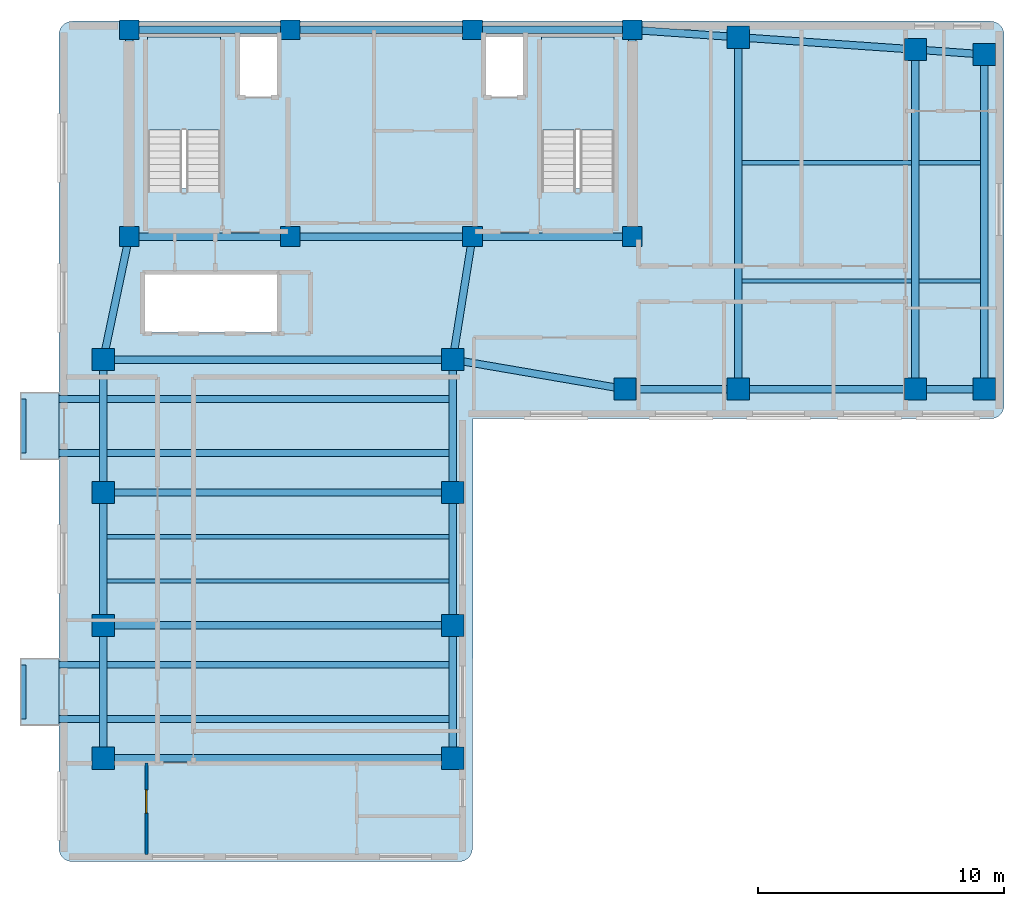
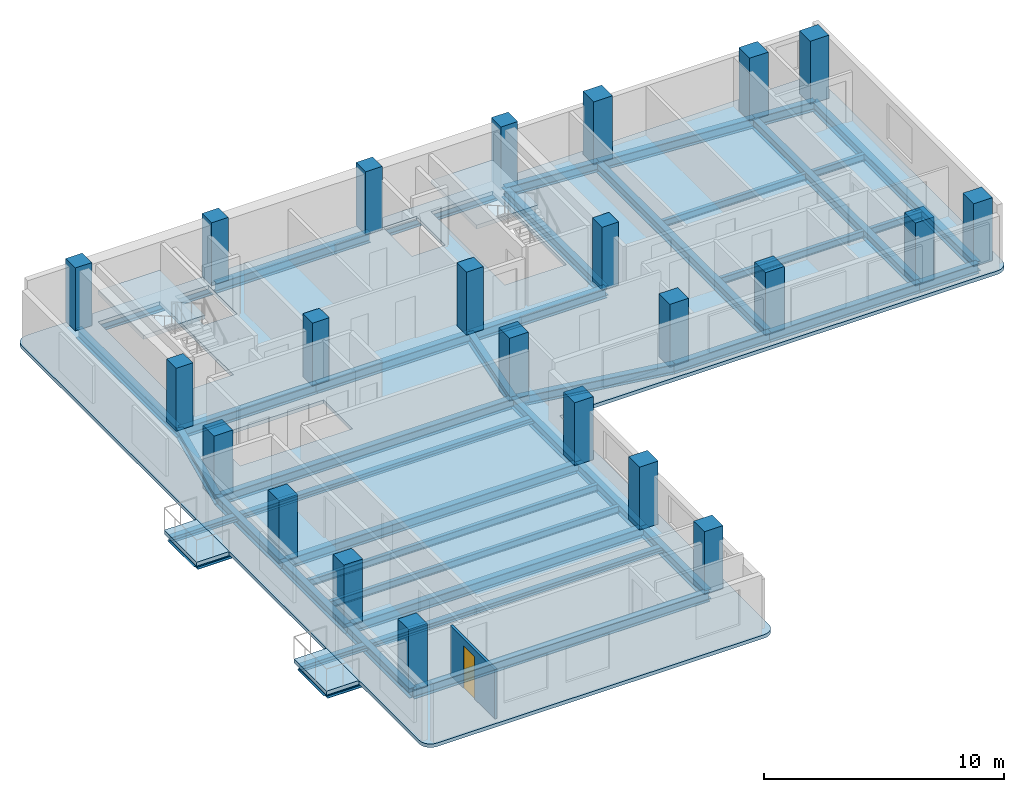
# One storey, part 1 of 7: 42 beams, 23 columns, 5 slabs, 1 door, 1 wall, 1 opening, 2 elements without a shape of their own.
"""IFC4 building model written with IfcOpenShell, lengths in metres."""

from ifc_helpers import new_model, si_unit, direction, frame, frame_2d, origin, origin_2d, place, context, subcontext, project, spatial, polyline, rectangle, i_section, outline, extrude, material, layer, layer_set, material_profile, profile_set, type_object, element, fill, aggregate, save


model = new_model("IFC4")

# Units and contexts
model_context = context("Model", 3, precision=1e-05, world=origin(), true_north=direction((0.0, 1.0)))
body_context = subcontext(model_context, "Body", "Model", "MODEL_VIEW")
ifc_project = project(units=[si_unit("LENGTHUNIT", "METRE"), si_unit("AREAUNIT", "SQUARE_METRE"), si_unit("VOLUMEUNIT", "CUBIC_METRE"), si_unit("PLANEANGLEUNIT", "RADIAN"), si_unit("MASSUNIT", "GRAM", prefix="KILO")], contexts=[model_context])

# Site, building, storey
site_placement = place(None, origin())
site = spatial("IfcSite", under=ifc_project, at=site_placement, CompositionType="ELEMENT")
building_placement = place(site_placement, origin())
building = spatial("IfcBuilding", under=site, at=building_placement, Name="Kuzgunbayir Cultural Tower", CompositionType="ELEMENT")
storey_placement = place(building_placement, frame((0.0, 0.0, 192.0)))
storey = spatial("IfcBuildingStorey", under=building, at=storey_placement, Name="L56", CompositionType="ELEMENT", Elevation=192.0)

# Columns
ifc_material_1 = material(Name="Concrete C50/60", Category="concrete")
ifc_material_profile_1 = material_profile(ifc_material_1, rectangle(XDim=0.800048828125, YDim=0.800048828125, at=origin_2d()), Name="RC 800x800")
ifc_profile_set_1 = profile_set([ifc_material_profile_1], Name="Concrete C50/60")
column_type_1 = type_object("IfcColumnType", Name="COL-CORE-800", PredefinedType="COLUMN", material=ifc_profile_set_1)
for number, where, z_axis, x_axis, name in (
    (1, (6.449951171875, 33.800048828125, 0.0), (0.0, 0.0, 1.0), (1.0, 0.0, 0.0), "L56 T1 Core Boundary Column CC1-1"),
    (2, (13.0, 33.800048828125, 0.0), (0.0, 0.0, 1.0), (1.0, 0.0, 0.0), "L56 T1 Core Boundary Column CC1-2"),
    (3, (20.39990234375, 33.800048828125, 0.0), (0.0, 0.0, 1.0), (1.0, 0.0, 0.0), "L56 T1 Core Boundary Column CC1-3"),
    (4, (26.89990234375, 33.800048828125, 0.0), (0.0, 0.0, 1.0), (1.0, 0.0, 0.0), "L56 T1 Core Boundary Column CC1-4"),
    (5, (6.449951171875, 42.199951171875, 0.0), (0.0, 0.0, 1.0), (1.0, 0.0, 0.0), "L56 T1 Core Boundary Column CC1-5"),
    (6, (13.0, 42.199951171875, 0.0), (0.0, 0.0, 1.0), (1.0, 0.0, 0.0), "L56 T1 Core Boundary Column CC1-6"),
    (7, (20.39990234375, 42.199951171875, 0.0), (0.0, 0.0, 1.0), (1.0, 0.0, 0.0), "L56 T1 Core Boundary Column CC1-7"),
    (8, (26.89990234375, 42.199951171875, 0.0), (0.0, 0.0, 1.0), (1.0, 0.0, 0.0), "L56 T1 Core Boundary Column CC1-8"),
):
    element("IfcColumn", number, at=place(storey_placement, frame(where, z_axis=z_axis, x_axis=x_axis)), inside=storey, type_object=column_type_1, Name=name, PredefinedType="COLUMN", context=body_context, shape_type="SweptSolid", body=[
        extrude(rectangle(XDim=0.800048828125, YDim=0.800048828125, at=origin_2d()), origin(), (0.0, 0.0, 1.0), 3.199951171875),
    ])
ifc_material_profile_2 = material_profile(ifc_material_1, rectangle(XDim=0.89990234375, YDim=0.89990234375, at=origin_2d()), Name="RC 900x900")
ifc_profile_set_2 = profile_set([ifc_material_profile_2], Name="Concrete C50/60")
column_type_2 = type_object("IfcColumnType", Name="COL-T1-900", PredefinedType="COLUMN", material=ifc_profile_set_2)
for number, where, z_axis, x_axis, name in (
    (9, (5.39990234375, 12.60009765625, 0.0), (0.0, 0.0, 1.0), (1.0, 0.0, 0.0), "L56 Tower 1 Wing A Column T1A-W-1"),
    (10, (19.60009765625, 12.60009765625, 0.0), (0.0, 0.0, 1.0), (1.0, 0.0, 0.0), "L56 Tower 1 Wing A Column T1A-E-1"),
    (11, (5.39990234375, 18.0, 0.0), (0.0, 0.0, 1.0), (1.0, 0.0, 0.0), "L56 Tower 1 Wing A Column T1A-W-2"),
    (12, (19.60009765625, 18.0, 0.0), (0.0, 0.0, 1.0), (1.0, 0.0, 0.0), "L56 Tower 1 Wing A Column T1A-E-2"),
    (13, (5.39990234375, 23.39990234375, 0.0), (0.0, 0.0, 1.0), (1.0, 0.0, 0.0), "L56 Tower 1 Wing A Column T1A-W-3"),
    (14, (19.60009765625, 23.39990234375, 0.0), (0.0, 0.0, 1.0), (1.0, 0.0, 0.0), "L56 Tower 1 Wing A Column T1A-E-3"),
    (15, (5.39990234375, 28.800048828125, 0.0), (0.0, 0.0, 1.0), (1.0, 0.0, 0.0), "L56 Tower 1 Wing A Column T1A-W-4"),
    (16, (19.60009765625, 28.800048828125, 0.0), (0.0, 0.0, 1.0), (1.0, 0.0, 0.0), "L56 Tower 1 Wing A Column T1A-E-4"),
    (17, (26.60009765625, 27.60009765625, 0.0), (0.0, 0.0, 1.0), (1.0, 0.0, 0.0), "L56 Tower 1 Wing B Column T1B-1-1"),
    (18, (31.199951171875, 27.60009765625, 0.0), (0.0, 0.0, 1.0), (1.0, 0.0, 0.0), "L56 Tower 1 Wing B Column T1B-2-1"),
    (19, (31.199951171875, 41.89990234375, 0.0), (0.0, 0.0, 1.0), (1.0, 0.0, 0.0), "L56 Tower 1 Wing B Column T1B-2-2"),
    (20, (38.39990234375, 27.60009765625, 0.0), (0.0, 0.0, 1.0), (1.0, 0.0, 0.0), "L56 Tower 1 Wing B Column T1B-3-1"),
    (21, (38.39990234375, 41.39990234375, 0.0), (0.0, 0.0, 1.0), (1.0, 0.0, 0.0), "L56 Tower 1 Wing B Column T1B-3-2"),
    (22, (41.199951171875, 27.60009765625, 0.0), (0.0, 0.0, 1.0), (1.0, 0.0, 0.0), "L56 Tower 1 Wing B Column T1B-4-1"),
    (23, (41.199951171875, 41.199951171875, 0.0), (0.0, 0.0, 1.0), (1.0, 0.0, 0.0), "L56 Tower 1 Wing B Column T1B-4-2"),
):
    element("IfcColumn", number, at=place(storey_placement, frame(where, z_axis=z_axis, x_axis=x_axis)), inside=storey, type_object=column_type_2, Name=name, PredefinedType="COLUMN", context=body_context, shape_type="SweptSolid", body=[
        extrude(rectangle(XDim=0.89990234375, YDim=0.89990234375, at=origin_2d()), origin(), (0.0, 0.0, 1.0), 3.199951171875),
    ])

# Beams
ifc_material_2 = material(Name="Steel S355J2", Category="steel")
ifc_material_profile_3 = material_profile(ifc_material_2, i_section(OverallWidth=0.280029296875, OverallDepth=0.280029296875, WebThickness=0.010498046875, FlangeThickness=0.01806640625, FilletRadius=0.02392578125, at=origin_2d()), Name="HEB 280")
ifc_profile_set_3 = profile_set([ifc_material_profile_3], Name="Steel S355J2")
beam_type_1 = type_object("IfcBeamType", Name="BM-BAL-HEB280", PredefinedType="BEAM", material=ifc_profile_set_3)
for number, where, z_axis, x_axis, name in (
    (24, (2.159912109375, 14.199951171875, -0.340087890625), (1.0, 0.0, 0.0), (0.0, 1.0, 0.0), "L56 Balcony Outrigger Beam BAL-L56-WA1.1"),
    (25, (2.159912109375, 16.39990234375, -0.340087890625), (1.0, 0.0, 0.0), (0.0, 1.0, 0.0), "L56 Balcony Outrigger Beam BAL-L56-WA1.2"),
    (26, (2.159912109375, 25.0, -0.340087890625), (1.0, 0.0, 0.0), (0.0, 1.0, 0.0), "L56 Balcony Outrigger Beam BAL-L56-WA3.1"),
    (27, (2.159912109375, 27.199951171875, -0.340087890625), (1.0, 0.0, 0.0), (0.0, 1.0, 0.0), "L56 Balcony Outrigger Beam BAL-L56-WA3.2"),
):
    element("IfcBeam", number, at=place(storey_placement, frame(where, z_axis=z_axis, x_axis=x_axis)), inside=storey, type_object=beam_type_1, Name=name, PredefinedType="BEAM", context=body_context, shape_type="SweptSolid", body=[
        extrude(i_section(OverallWidth=0.280029296875, OverallDepth=0.280029296875, WebThickness=0.010498046875, FlangeThickness=0.01806640625, FilletRadius=0.02392578125, at=origin_2d()), origin(), (0.0, 0.0, 1.0), 17.440185546875),
    ])
ifc_material_profile_4 = material_profile(ifc_material_2, i_section(OverallWidth=0.199951171875, OverallDepth=0.199951171875, WebThickness=0.009033203125, FlangeThickness=0.014892578125, FilletRadius=0.01806640625, at=origin_2d()), Name="HEB 200")
ifc_profile_set_4 = profile_set([ifc_material_profile_4], Name="Steel S355J2")
beam_type_2 = type_object("IfcBeamType", Name="BM-CAN-HEB200", PredefinedType="BEAM", material=ifc_profile_set_4)
for number, where, z_axis, x_axis, name in (
    (28, (2.159912109375, 14.199951171875, -0.300048828125), (0.0, 1.0, 0.0), (-1.0, 0.0, 0.0), "L56 Balcony Edge Header BAL-L56-WA1"),
    (29, (2.159912109375, 25.0, -0.300048828125), (0.0, 1.0, 0.0), (-1.0, 0.0, 0.0), "L56 Balcony Edge Header BAL-L56-WA3"),
):
    element("IfcBeam", number, at=place(storey_placement, frame(where, z_axis=z_axis, x_axis=x_axis)), inside=storey, type_object=beam_type_2, Name=name, PredefinedType="BEAM", context=body_context, shape_type="SweptSolid", body=[
        extrude(i_section(OverallWidth=0.199951171875, OverallDepth=0.199951171875, WebThickness=0.009033203125, FlangeThickness=0.014892578125, FilletRadius=0.01806640625, at=origin_2d()), origin(), (0.0, 0.0, 1.0), 2.199951171875),
    ])
ifc_material_profile_5 = material_profile(ifc_material_2, i_section(OverallWidth=0.300048828125, OverallDepth=0.5, WebThickness=0.014404296875, FlangeThickness=0.028076171875, FilletRadius=0.027099609375, at=origin_2d()), Name="HEB 500")
ifc_profile_set_5 = profile_set([ifc_material_profile_5], Name="Steel S355J2")
beam_type_3 = type_object("IfcBeamType", Name="BM-EXT-HEB500", PredefinedType="BEAM", material=ifc_profile_set_5)
for number, where, z_axis, x_axis, name in (
    (30, (5.39990234375, 12.60009765625, -0.429931640625), (0.0, 1.0, 0.0), (-1.0, 0.0, 0.0), "L56 Wing A West Girder 1"),
    (31, (19.60009765625, 12.60009765625, -0.429931640625), (0.0, 1.0, 0.0), (-1.0, 0.0, 0.0), "L56 Wing A East Girder 1"),
    (32, (5.39990234375, 18.0, -0.429931640625), (0.0, 1.0, 0.0), (-1.0, 0.0, 0.0), "L56 Wing A West Girder 2"),
    (33, (19.60009765625, 18.0, -0.429931640625), (0.0, 1.0, 0.0), (-1.0, 0.0, 0.0), "L56 Wing A East Girder 2"),
):
    element("IfcBeam", number, at=place(storey_placement, frame(where, z_axis=z_axis, x_axis=x_axis)), inside=storey, type_object=beam_type_3, Name=name, PredefinedType="BEAM", context=body_context, shape_type="SweptSolid", body=[
        extrude(i_section(OverallWidth=0.300048828125, OverallDepth=0.5, WebThickness=0.014404296875, FlangeThickness=0.028076171875, FilletRadius=0.027099609375, at=origin_2d()), origin(), (0.0, 0.0, 1.0), 5.39990234375),
    ])
for number, where, z_axis, x_axis, name in (
    (34, (5.39990234375, 23.39990234375, -0.429931640625), (0.0, 1.0, 0.0), (-1.0, 0.0, 0.0), "L56 Wing A West Girder 3"),
    (35, (19.60009765625, 23.39990234375, -0.429931640625), (0.0, 1.0, 0.0), (-1.0, 0.0, 0.0), "L56 Wing A East Girder 3"),
):
    element("IfcBeam", number, at=place(storey_placement, frame(where, z_axis=z_axis, x_axis=x_axis)), inside=storey, type_object=beam_type_3, Name=name, PredefinedType="BEAM", context=body_context, shape_type="SweptSolid", body=[
        extrude(i_section(OverallWidth=0.300048828125, OverallDepth=0.5, WebThickness=0.014404296875, FlangeThickness=0.028076171875, FilletRadius=0.027099609375, at=origin_2d()), origin(), (0.0, 0.0, 1.0), 5.400146484375),
    ])
beam_1_placement = place(storey_placement, frame((26.60009765625, 27.60009765625, -0.429931640625), z_axis=(1.0, 0.0, 0.0), x_axis=(0.0, 1.0, 0.0)))
element("IfcBeam", 36, at=beam_1_placement, inside=storey, type_object=beam_type_3, Name="L56 Wing B South Girder 1", PredefinedType="BEAM", context=body_context, shape_type="SweptSolid", body=[
    extrude(i_section(OverallWidth=0.300048828125, OverallDepth=0.5, WebThickness=0.014404296875, FlangeThickness=0.028076171875, FilletRadius=0.027099609375, at=origin_2d()), origin(), (0.0, 0.0, 1.0), 4.599853515625),
])
beam_2_placement = place(storey_placement, frame((26.89990234375, 42.199951171875, -0.429931640625), z_axis=(0.997574369175, -0.069608749203, 0.0), x_axis=(0.069608749203, 0.997574369175, 0.0)))
element("IfcBeam", 37, at=beam_2_placement, inside=storey, type_object=beam_type_3, Name="L56 Wing B North Girder 1", PredefinedType="BEAM", context=body_context, shape_type="SweptSolid", body=[
    extrude(i_section(OverallWidth=0.300048828125, OverallDepth=0.5, WebThickness=0.014404296875, FlangeThickness=0.028076171875, FilletRadius=0.027099609375, at=origin_2d()), origin(), (0.0, 0.0, 1.0), 4.310546875),
])
beam_3_placement = place(storey_placement, frame((31.199951171875, 27.60009765625, -0.429931640625), z_axis=(1.0, 0.0, 0.0), x_axis=(0.0, 1.0, 0.0)))
element("IfcBeam", 38, at=beam_3_placement, inside=storey, type_object=beam_type_3, Name="L56 Wing B South Girder 2", PredefinedType="BEAM", context=body_context, shape_type="SweptSolid", body=[
    extrude(i_section(OverallWidth=0.300048828125, OverallDepth=0.5, WebThickness=0.014404296875, FlangeThickness=0.028076171875, FilletRadius=0.027099609375, at=origin_2d()), origin(), (0.0, 0.0, 1.0), 7.199951171875),
])
beam_4_placement = place(storey_placement, frame((31.199951171875, 41.89990234375, -0.429931640625), z_axis=(0.997597388498, -0.069278066245, 0.0), x_axis=(0.069278066245, 0.997597388498, 0.0)))
element("IfcBeam", 39, at=beam_4_placement, inside=storey, type_object=beam_type_3, Name="L56 Wing B North Girder 2", PredefinedType="BEAM", context=body_context, shape_type="SweptSolid", body=[
    extrude(i_section(OverallWidth=0.300048828125, OverallDepth=0.5, WebThickness=0.014404296875, FlangeThickness=0.028076171875, FilletRadius=0.027099609375, at=origin_2d()), origin(), (0.0, 0.0, 1.0), 7.21728515625),
])
beam_5_placement = place(storey_placement, frame((38.39990234375, 27.60009765625, -0.429931640625), z_axis=(1.0, 0.0, 0.0), x_axis=(0.0, 1.0, 0.0)))
element("IfcBeam", 40, at=beam_5_placement, inside=storey, type_object=beam_type_3, Name="L56 Wing B South Girder 3", PredefinedType="BEAM", context=body_context, shape_type="SweptSolid", body=[
    extrude(i_section(OverallWidth=0.300048828125, OverallDepth=0.5, WebThickness=0.014404296875, FlangeThickness=0.028076171875, FilletRadius=0.027099609375, at=origin_2d()), origin(), (0.0, 0.0, 1.0), 2.800048828125),
])
beam_6_placement = place(storey_placement, frame((38.39990234375, 41.39990234375, -0.429931640625), z_axis=(0.997460024076, -0.071228508128, 0.0), x_axis=(0.071228508128, 0.997460024076, 0.0)))
element("IfcBeam", 41, at=beam_6_placement, inside=storey, type_object=beam_type_3, Name="L56 Wing B North Girder 3", PredefinedType="BEAM", context=body_context, shape_type="SweptSolid", body=[
    extrude(i_section(OverallWidth=0.300048828125, OverallDepth=0.5, WebThickness=0.014404296875, FlangeThickness=0.028076171875, FilletRadius=0.027099609375, at=origin_2d()), origin(), (0.0, 0.0, 1.0), 2.80712890625),
])
ifc_material_profile_6 = material_profile(ifc_material_2, i_section(OverallWidth=0.300048828125, OverallDepth=0.5, WebThickness=0.014404296875, FlangeThickness=0.028076171875, FilletRadius=0.027099609375, at=origin_2d()), Name="HEB 500")
ifc_profile_set_6 = profile_set([ifc_material_profile_6], Name="Steel S355J2")
beam_type_4 = type_object("IfcBeamType", Name="BM-GIR-HEB500", PredefinedType="BEAM", material=ifc_profile_set_6)
beam_7_placement = place(storey_placement, frame((6.449951171875, 33.800048828125, -0.429931640625), z_axis=(1.0, 0.0, 0.0), x_axis=(0.0, 1.0, 0.0)))
element("IfcBeam", 42, at=beam_7_placement, inside=storey, type_object=beam_type_4, Name="L56 Core South Girder 1", PredefinedType="BEAM", context=body_context, shape_type="SweptSolid", body=[
    extrude(i_section(OverallWidth=0.300048828125, OverallDepth=0.5, WebThickness=0.014404296875, FlangeThickness=0.028076171875, FilletRadius=0.027099609375, at=origin_2d()), origin(), (0.0, 0.0, 1.0), 6.550048828125),
])
beam_8_placement = place(storey_placement, frame((13.0, 33.800048828125, -0.429931640625), z_axis=(1.0, 0.0, 0.0), x_axis=(0.0, 1.0, 0.0)))
element("IfcBeam", 43, at=beam_8_placement, inside=storey, type_object=beam_type_4, Name="L56 Core South Girder 2", PredefinedType="BEAM", context=body_context, shape_type="SweptSolid", body=[
    extrude(i_section(OverallWidth=0.300048828125, OverallDepth=0.5, WebThickness=0.014404296875, FlangeThickness=0.028076171875, FilletRadius=0.027099609375, at=origin_2d()), origin(), (0.0, 0.0, 1.0), 7.39990234375),
])
beam_9_placement = place(storey_placement, frame((20.39990234375, 33.800048828125, -0.429931640625), z_axis=(1.0, 0.0, 0.0), x_axis=(0.0, 1.0, 0.0)))
element("IfcBeam", 44, at=beam_9_placement, inside=storey, type_object=beam_type_4, Name="L56 Core South Girder 3", PredefinedType="BEAM", context=body_context, shape_type="SweptSolid", body=[
    extrude(i_section(OverallWidth=0.300048828125, OverallDepth=0.5, WebThickness=0.014404296875, FlangeThickness=0.028076171875, FilletRadius=0.027099609375, at=origin_2d()), origin(), (0.0, 0.0, 1.0), 6.5),
])
beam_10_placement = place(storey_placement, frame((6.449951171875, 42.199951171875, -0.429931640625), z_axis=(1.0, 0.0, 0.0), x_axis=(0.0, 1.0, 0.0)))
element("IfcBeam", 45, at=beam_10_placement, inside=storey, type_object=beam_type_4, Name="L56 Core North Girder 1", PredefinedType="BEAM", context=body_context, shape_type="SweptSolid", body=[
    extrude(i_section(OverallWidth=0.300048828125, OverallDepth=0.5, WebThickness=0.014404296875, FlangeThickness=0.028076171875, FilletRadius=0.027099609375, at=origin_2d()), origin(), (0.0, 0.0, 1.0), 6.550048828125),
])
beam_11_placement = place(storey_placement, frame((13.0, 42.199951171875, -0.429931640625), z_axis=(1.0, 0.0, 0.0), x_axis=(0.0, 1.0, 0.0)))
element("IfcBeam", 46, at=beam_11_placement, inside=storey, type_object=beam_type_4, Name="L56 Core North Girder 2", PredefinedType="BEAM", context=body_context, shape_type="SweptSolid", body=[
    extrude(i_section(OverallWidth=0.300048828125, OverallDepth=0.5, WebThickness=0.014404296875, FlangeThickness=0.028076171875, FilletRadius=0.027099609375, at=origin_2d()), origin(), (0.0, 0.0, 1.0), 7.39990234375),
])
beam_12_placement = place(storey_placement, frame((20.39990234375, 42.199951171875, -0.429931640625), z_axis=(1.0, 0.0, 0.0), x_axis=(0.0, 1.0, 0.0)))
element("IfcBeam", 47, at=beam_12_placement, inside=storey, type_object=beam_type_4, Name="L56 Core North Girder 3", PredefinedType="BEAM", context=body_context, shape_type="SweptSolid", body=[
    extrude(i_section(OverallWidth=0.300048828125, OverallDepth=0.5, WebThickness=0.014404296875, FlangeThickness=0.028076171875, FilletRadius=0.027099609375, at=origin_2d()), origin(), (0.0, 0.0, 1.0), 6.5),
])
for number, where, z_axis, x_axis, name in (
    (48, (6.449951171875, 33.800048828125, -0.429931640625), (0.0, 1.0, 0.0), (-1.0, 0.0, 0.0), "L56 Core West Edge Girder"),
    (49, (26.89990234375, 33.800048828125, -0.429931640625), (0.0, 1.0, 0.0), (-1.0, 0.0, 0.0), "L56 Core East Edge Girder"),
):
    element("IfcBeam", number, at=place(storey_placement, frame(where, z_axis=z_axis, x_axis=x_axis)), inside=storey, type_object=beam_type_4, Name=name, PredefinedType="BEAM", context=body_context, shape_type="SweptSolid", body=[
        extrude(i_section(OverallWidth=0.300048828125, OverallDepth=0.5, WebThickness=0.014404296875, FlangeThickness=0.028076171875, FilletRadius=0.027099609375, at=origin_2d()), origin(), (0.0, 0.0, 1.0), 8.39990234375),
    ])
for number, where, z_axis, x_axis, name in (
    (50, (5.39990234375, 12.60009765625, -0.429931640625), (1.0, 0.0, 0.0), (0.0, 1.0, 0.0), "L56 Wing A Transverse Girder 1"),
    (51, (5.39990234375, 18.0, -0.429931640625), (1.0, 0.0, 0.0), (0.0, 1.0, 0.0), "L56 Wing A Transverse Girder 2"),
    (52, (5.39990234375, 23.39990234375, -0.429931640625), (1.0, 0.0, 0.0), (0.0, 1.0, 0.0), "L56 Wing A Transverse Girder 3"),
    (53, (5.39990234375, 28.800048828125, -0.429931640625), (1.0, 0.0, 0.0), (0.0, 1.0, 0.0), "L56 Wing A Transverse Girder 4"),
):
    element("IfcBeam", number, at=place(storey_placement, frame(where, z_axis=z_axis, x_axis=x_axis)), inside=storey, type_object=beam_type_4, Name=name, PredefinedType="BEAM", context=body_context, shape_type="SweptSolid", body=[
        extrude(i_section(OverallWidth=0.300048828125, OverallDepth=0.5, WebThickness=0.014404296875, FlangeThickness=0.028076171875, FilletRadius=0.027099609375, at=origin_2d()), origin(), (0.0, 0.0, 1.0), 14.2001953125),
    ])
beam_13_placement = place(storey_placement, frame((5.39990234375, 28.800048828125, -0.429931640625), z_axis=(0.205526387753, 0.978651574329, 0.0), x_axis=(-0.978651574329, 0.205526387753, 0.0)))
element("IfcBeam", 54, at=beam_13_placement, inside=storey, type_object=beam_type_4, Name="L56 Wing A West Core Floor Girder", PredefinedType="BEAM", context=body_context, shape_type="SweptSolid", body=[
    extrude(i_section(OverallWidth=0.300048828125, OverallDepth=0.5, WebThickness=0.014404296875, FlangeThickness=0.028076171875, FilletRadius=0.027099609375, at=origin_2d()), origin(), (0.0, 0.0, 1.0), 5.109130859375),
])
beam_14_placement = place(storey_placement, frame((19.60009765625, 28.800048828125, -0.429931640625), z_axis=(0.157952891656, 0.987446648694, 0.0), x_axis=(-0.987446648694, 0.157952891656, 0.0)))
element("IfcBeam", 55, at=beam_14_placement, inside=storey, type_object=beam_type_4, Name="L56 Wing A East Core Floor Girder", PredefinedType="BEAM", context=body_context, shape_type="SweptSolid", body=[
    extrude(i_section(OverallWidth=0.300048828125, OverallDepth=0.5, WebThickness=0.014404296875, FlangeThickness=0.028076171875, FilletRadius=0.027099609375, at=origin_2d()), origin(), (0.0, 0.0, 1.0), 5.0634765625),
])
beam_15_placement = place(storey_placement, frame((31.199951171875, 27.60009765625, -0.429931640625), z_axis=(0.0, 1.0, 0.0), x_axis=(-1.0, 0.0, 0.0)))
element("IfcBeam", 56, at=beam_15_placement, inside=storey, type_object=beam_type_4, Name="L56 Wing B Cross Girder 31", PredefinedType="BEAM", context=body_context, shape_type="SweptSolid", body=[
    extrude(i_section(OverallWidth=0.300048828125, OverallDepth=0.5, WebThickness=0.014404296875, FlangeThickness=0.028076171875, FilletRadius=0.027099609375, at=origin_2d()), origin(), (0.0, 0.0, 1.0), 14.2998046875),
])
beam_16_placement = place(storey_placement, frame((38.39990234375, 27.60009765625, -0.429931640625), z_axis=(0.0, 1.0, 0.0), x_axis=(-1.0, 0.0, 0.0)))
element("IfcBeam", 57, at=beam_16_placement, inside=storey, type_object=beam_type_4, Name="L56 Wing B Cross Girder 38", PredefinedType="BEAM", context=body_context, shape_type="SweptSolid", body=[
    extrude(i_section(OverallWidth=0.300048828125, OverallDepth=0.5, WebThickness=0.014404296875, FlangeThickness=0.028076171875, FilletRadius=0.027099609375, at=origin_2d()), origin(), (0.0, 0.0, 1.0), 13.7998046875),
])
beam_17_placement = place(storey_placement, frame((41.199951171875, 27.60009765625, -0.429931640625), z_axis=(0.0, 1.0, 0.0), x_axis=(-1.0, 0.0, 0.0)))
element("IfcBeam", 58, at=beam_17_placement, inside=storey, type_object=beam_type_4, Name="L56 Wing B Cross Girder 41", PredefinedType="BEAM", context=body_context, shape_type="SweptSolid", body=[
    extrude(i_section(OverallWidth=0.300048828125, OverallDepth=0.5, WebThickness=0.014404296875, FlangeThickness=0.028076171875, FilletRadius=0.027099609375, at=origin_2d()), origin(), (0.0, 0.0, 1.0), 13.599853515625),
])
beam_18_placement = place(storey_placement, frame((19.60009765625, 28.800048828125, -0.429931640625), z_axis=(0.985623399742, -0.168957136221, 0.0), x_axis=(0.168957136221, 0.985623399742, 0.0)))
element("IfcBeam", 59, at=beam_18_placement, inside=storey, type_object=beam_type_4, Name="L56 Wing B Waist Tie Girder", PredefinedType="BEAM", context=body_context, shape_type="SweptSolid", body=[
    extrude(i_section(OverallWidth=0.300048828125, OverallDepth=0.5, WebThickness=0.014404296875, FlangeThickness=0.028076171875, FilletRadius=0.027099609375, at=origin_2d()), origin(), (0.0, 0.0, 1.0), 7.10205078125),
])
ifc_material_profile_7 = material_profile(ifc_material_2, i_section(OverallWidth=0.169921875, OverallDepth=0.360107421875, WebThickness=0.008056640625, FlangeThickness=0.0126953125, FilletRadius=0.01806640625, at=origin_2d()), Name="IPE 360")
ifc_profile_set_7 = profile_set([ifc_material_profile_7], Name="Steel S355J2")
beam_type_5 = type_object("IfcBeamType", Name="BM-JST-IPE360", PredefinedType="JOIST", material=ifc_profile_set_7)
for number, where, z_axis, x_axis, name in (
    (60, (5.550048828125, 19.800048828125, -0.360107421875), (1.0, 0.0, 0.0), (0.0, 1.0, 0.0), "L56 Wing A Secondary Joist 3"),
    (61, (5.550048828125, 21.60009765625, -0.360107421875), (1.0, 0.0, 0.0), (0.0, 1.0, 0.0), "L56 Wing A Secondary Joist 4"),
):
    element("IfcBeam", number, at=place(storey_placement, frame(where, z_axis=z_axis, x_axis=x_axis)), inside=storey, type_object=beam_type_5, Name=name, PredefinedType="JOIST", context=body_context, shape_type="SweptSolid", body=[
        extrude(i_section(OverallWidth=0.169921875, OverallDepth=0.360107421875, WebThickness=0.008056640625, FlangeThickness=0.0126953125, FilletRadius=0.01806640625, at=origin_2d()), origin(), (0.0, 0.0, 1.0), 13.89990234375),
    ])
for number, where, z_axis, x_axis, name in (
    (62, (31.35009765625, 32.0, -0.360107421875), (1.0, 0.0, 0.0), (0.0, 1.0, 0.0), "L56 Wing B Secondary Joist 1.1"),
    (63, (31.35009765625, 36.800048828125, -0.360107421875), (1.0, 0.0, 0.0), (0.0, 1.0, 0.0), "L56 Wing B Secondary Joist 1.2"),
):
    element("IfcBeam", number, at=place(storey_placement, frame(where, z_axis=z_axis, x_axis=x_axis)), inside=storey, type_object=beam_type_5, Name=name, PredefinedType="JOIST", context=body_context, shape_type="SweptSolid", body=[
        extrude(i_section(OverallWidth=0.169921875, OverallDepth=0.360107421875, WebThickness=0.008056640625, FlangeThickness=0.0126953125, FilletRadius=0.01806640625, at=origin_2d()), origin(), (0.0, 0.0, 1.0), 6.89990234375),
    ])
for number, where, z_axis, x_axis, name in (
    (64, (38.550048828125, 32.0, -0.360107421875), (1.0, 0.0, 0.0), (0.0, 1.0, 0.0), "L56 Wing B Secondary Joist 2.1"),
    (65, (38.550048828125, 36.800048828125, -0.360107421875), (1.0, 0.0, 0.0), (0.0, 1.0, 0.0), "L56 Wing B Secondary Joist 2.2"),
):
    element("IfcBeam", number, at=place(storey_placement, frame(where, z_axis=z_axis, x_axis=x_axis)), inside=storey, type_object=beam_type_5, Name=name, PredefinedType="JOIST", context=body_context, shape_type="SweptSolid", body=[
        extrude(i_section(OverallWidth=0.169921875, OverallDepth=0.360107421875, WebThickness=0.008056640625, FlangeThickness=0.0126953125, FilletRadius=0.01806640625, at=origin_2d()), origin(), (0.0, 0.0, 1.0), 2.5),
    ])

# Slabs
ifc_material_3 = material(Name="Concrete C40/50", Category="concrete")
ifc_layer_1 = layer(ifc_material_3, 0.199951171875)
ifc_layer_set_1 = layer_set([ifc_layer_1], Name="Concrete C40/50")
slab_type_1 = type_object("IfcSlabType", Name="SLB-BAL-STONE", PredefinedType="FLOOR", material=ifc_layer_set_1)
slab_1_placement = place(storey_placement, frame((0.0, 0.0, -0.199951171875)))
element("IfcSlab", 66, at=slab_1_placement, inside=storey, type_object=slab_type_1, Name="L56 Projecting Limestone Balcony BAL-L56-WA1", PredefinedType="FLOOR", context=body_context, shape_type="SweptSolid", body=[
    extrude(outline(polyline([(2.0400390625, 13.949951171875), (3.60009765625, 13.949951171875), (3.60009765625, 16.64990234375), (2.0400390625, 16.64990234375), (2.0400390625, 13.949951171875)])), origin(), (0.0, 0.0, 1.0), 0.199951171875),
])
slab_2_placement = place(storey_placement, frame((0.0, 0.0, -0.199951171875)))
element("IfcSlab", 67, at=slab_2_placement, inside=storey, type_object=slab_type_1, Name="L56 Projecting Limestone Balcony BAL-L56-WA3", PredefinedType="FLOOR", context=body_context, shape_type="SweptSolid", body=[
    extrude(outline(polyline([(2.0400390625, 24.75), (3.60009765625, 24.75), (3.60009765625, 27.449951171875), (2.0400390625, 27.449951171875), (2.0400390625, 24.75)])), origin(), (0.0, 0.0, 1.0), 0.199951171875),
])

# Stair, slab
stair_type = type_object("IfcStairType", Name="STR-EXIT-CORE", PredefinedType="HALF_TURN_STAIR", material=ifc_material_3)
stair_1_placement = place(storey_placement, origin())
stair_1 = element("IfcStair", 68, at=stair_1_placement, inside=storey, type_object=stair_type, Name="L56 ST-1", PredefinedType="HALF_TURN_STAIR")
ifc_layer_2 = layer(ifc_material_3, 0.179931640625)
ifc_layer_set_2 = layer_set([ifc_layer_2], Name="Concrete C40/50")
slab_type_2 = type_object("IfcSlabType", Name="SLB-LANDING-180", PredefinedType="LANDING", material=ifc_layer_set_2)
slab_3_placement = place(storey_placement, frame((0.0, 0.0, 1.39990234375)))
slab_3 = element("IfcSlab", 69, at=slab_3_placement, type_object=slab_type_2, Name="ST-1 landing 1", PredefinedType="LANDING", context=body_context, shape_type="SweptSolid", body=[
    extrude(outline(polyline([(10.159912109375, 38.1201171875), (10.159912109375, 41.89990234375), (7.199951171875, 41.89990234375), (7.199951171875, 38.1201171875), (10.159912109375, 38.1201171875)])), origin(), (0.0, 0.0, 1.0), 0.2001953125),
])
aggregate(stair_1, [slab_3])

stair_2_placement = place(storey_placement, origin())
stair_2 = element("IfcStair", 70, at=stair_2_placement, inside=storey, type_object=stair_type, Name="L56 ST-2", PredefinedType="HALF_TURN_STAIR")
slab_4_placement = place(storey_placement, frame((0.0, 0.0, 1.39990234375)))
slab_4 = element("IfcSlab", 71, at=slab_4_placement, type_object=slab_type_2, Name="ST-2 landing 1", PredefinedType="LANDING", context=body_context, shape_type="SweptSolid", body=[
    extrude(outline(polyline([(26.159912109375, 38.1201171875), (26.159912109375, 41.89990234375), (23.199951171875, 41.89990234375), (23.199951171875, 38.1201171875), (26.159912109375, 38.1201171875)])), origin(), (0.0, 0.0, 1.0), 0.2001953125),
])
aggregate(stair_2, [slab_4])

# Slab
ifc_layer_3 = layer(ifc_material_3, 0.179931640625)
ifc_layer_set_3 = layer_set([ifc_layer_3], Name="Concrete C40/50")
slab_type_3 = type_object("IfcSlabType", Name="SLB-TYP-180", PredefinedType="FLOOR", material=ifc_layer_set_3)
slab_5_placement = place(storey_placement, frame((0.0, 0.0, -0.179931640625)))
element("IfcSlab", 72, at=slab_5_placement, inside=storey, type_object=slab_type_3, Name="L56 Tower 1 Floor Slab T1-MAIN", PredefinedType="FLOOR", context=body_context, shape_type="SweptSolid", body=[
    extrude(outline(polyline([(20.39990234375, 8.949951171875), (20.389892578125, 8.840087890625), (20.360107421875, 8.739990234375), (20.31005859375, 8.639892578125), (20.239990234375, 8.56005859375), (20.159912109375, 8.489990234375), (20.06005859375, 8.43994140625), (19.9599609375, 8.409912109375), (19.85009765625, 8.39990234375), (4.14990234375, 8.39990234375), (4.0400390625, 8.409912109375), (3.93994140625, 8.43994140625), (3.840087890625, 8.489990234375), (3.760009765625, 8.56005859375), (3.68994140625, 8.639892578125), (3.639892578125, 8.739990234375), (3.610107421875, 8.840087890625), (3.60009765625, 8.949951171875), (3.60009765625, 42.0), (3.610107421875, 42.110107421875), (3.639892578125, 42.2099609375), (3.68994140625, 42.31005859375), (3.760009765625, 42.389892578125), (3.840087890625, 42.4599609375), (3.93994140625, 42.510009765625), (4.0400390625, 42.5400390625), (4.14990234375, 42.550048828125), (41.449951171875, 42.550048828125), (41.56005859375, 42.5400390625), (41.659912109375, 42.510009765625), (41.760009765625, 42.4599609375), (41.840087890625, 42.389892578125), (41.909912109375, 42.31005859375), (41.9599609375, 42.2099609375), (41.989990234375, 42.110107421875), (42.0, 42.0), (42.0, 26.949951171875), (41.989990234375, 26.840087890625), (41.9599609375, 26.739990234375), (41.909912109375, 26.639892578125), (41.840087890625, 26.56005859375), (41.760009765625, 26.489990234375), (41.659912109375, 26.43994140625), (41.56005859375, 26.409912109375), (41.449951171875, 26.39990234375), (20.429931640625, 26.39990234375), (20.39990234375, 8.949951171875)]), holes=[polyline([(7.199951171875, 35.760009765625), (7.199951171875, 41.89990234375), (10.159912109375, 41.89990234375), (10.159912109375, 35.760009765625), (7.199951171875, 35.760009765625)]), polyline([(23.199951171875, 35.760009765625), (23.199951171875, 41.89990234375), (26.159912109375, 41.89990234375), (26.159912109375, 35.760009765625), (23.199951171875, 35.760009765625)]), polyline([(7.10009765625, 29.89990234375), (7.10009765625, 32.300048828125), (12.5, 32.300048828125), (12.5, 29.89990234375), (7.10009765625, 29.89990234375)]), polyline([(10.89990234375, 39.5), (10.89990234375, 41.89990234375), (12.5, 41.89990234375), (12.5, 39.5), (10.89990234375, 39.5)]), polyline([(20.89990234375, 39.5), (20.89990234375, 41.89990234375), (22.5, 41.89990234375), (22.5, 39.5), (20.89990234375, 39.5)])]), origin(), (0.0, 0.0, 1.0), 0.179931640625),
])

# Wall, opening, door
ifc_material_4 = material(Name="Framed Gypsum Partition", Category="gypsum")
ifc_layer_4 = layer(ifc_material_4, 0.1201171875)
ifc_layer_set_4 = layer_set([ifc_layer_4], Name="Framed Gypsum Partition")
wall_type = type_object("IfcWallType", Name="WAL-PART-INT-120", PredefinedType="PARTITIONING", material=ifc_layer_set_4)
wall_placement = place(storey_placement, frame((7.14990234375, 8.699951171875, 0.0), z_axis=(0.0, 0.0, 1.0), x_axis=(0.0, 1.0, 0.0)))
wall = element("IfcWall", 73, at=wall_placement, inside=storey, type_object=wall_type, Name="L56 Flat A West Bedroom Wall", PredefinedType="PARTITIONING", context=body_context, shape_type="SweptSolid", body=[
    extrude(rectangle(XDim=3.699951171875, YDim=0.1201171875, at=frame_2d((1.85009765625, 0.0))), origin(), (0.0, 0.0, 1.0), 2.510009765625),
])
opening_placement = place(wall_placement, frame((1.669921875, 0.0, 0.0)))
opening = element("IfcOpeningElement", 74, at=opening_placement, cuts=wall, Name="Opening DI-90", PredefinedType="OPENING", context=body_context, shape_type="SweptSolid", body=[
    extrude(rectangle(XDim=0.949951171875, YDim=2.14990234375, at=frame_2d((0.47509765625, 1.074951171875))), frame((0.0, 0.070068359375, 0.0), z_axis=(0.0, -1.0, 0.0), x_axis=(1.0, 0.0, 0.0)), (0.0, 0.0, 1.0), 0.14013671875),
])
ifc_material_5 = material(Name="Veneered Oak Single Leaf", Category="wood")
door_type = type_object("IfcDoorType", Name="DR-INT-90", OperationType="NOTDEFINED", PredefinedType="DOOR", material=ifc_material_5)
door_placement = place(opening_placement, origin())
door = element("IfcDoor", 75, at=door_placement, inside=storey, type_object=door_type, Name="L56 Apartment A Bedroom Door", OperationType="SINGLE_SWING_RIGHT", OverallHeight=2.14990234375, OverallWidth=0.949951171875, PredefinedType="DOOR", context=body_context, shape_type="SweptSolid", body=[
    extrude(rectangle(XDim=0.949951171875, YDim=2.14990234375, at=frame_2d((0.47509765625, 1.074951171875))), frame((0.0, 0.02490234375, 0.0), z_axis=(0.0, -1.0, 0.0), x_axis=(1.0, 0.0, 0.0)), (0.0, 0.0, 1.0), 0.050048828125),
])
fill(opening, door)

save(model, "model.ifc")
